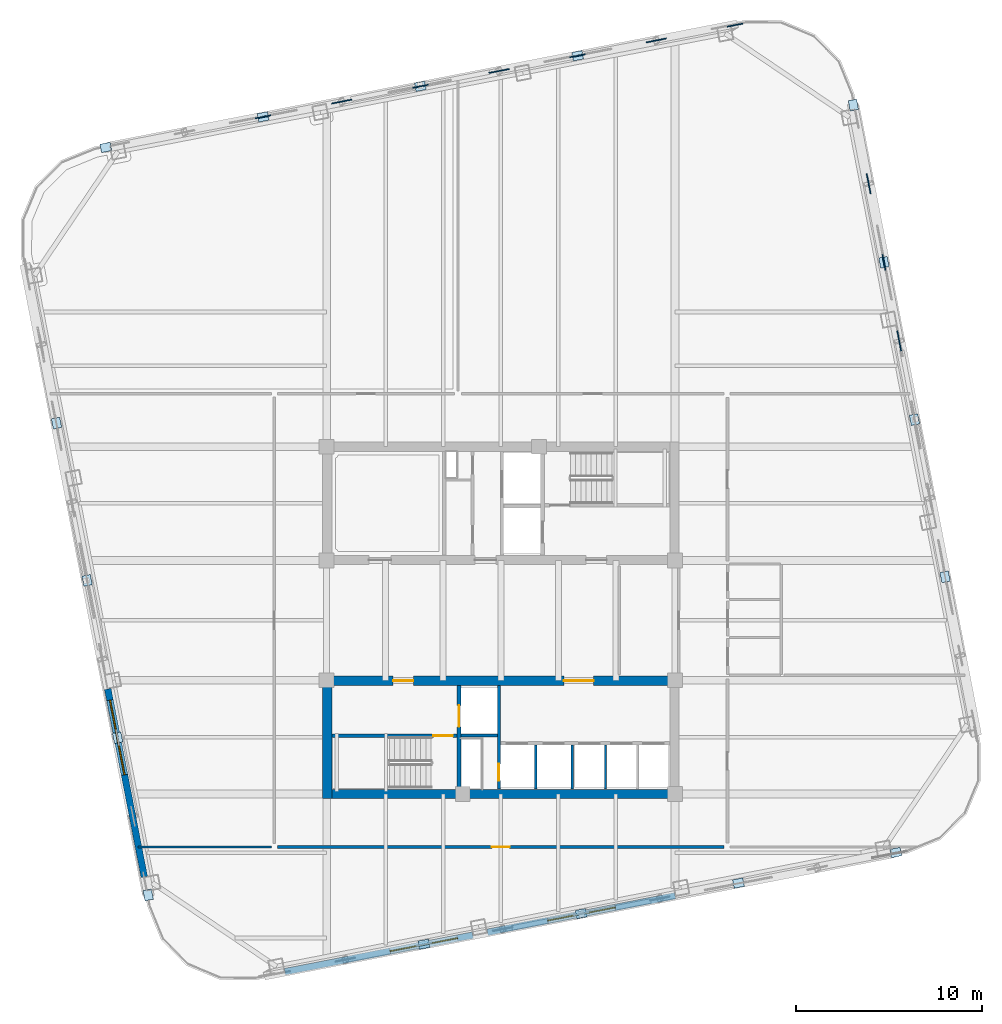
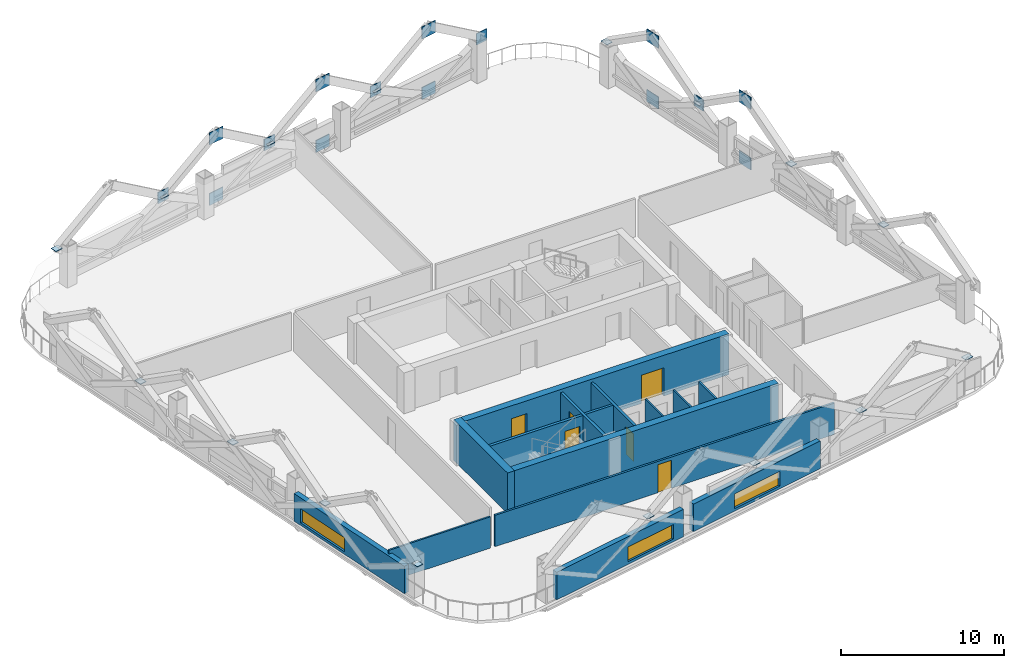
# One storey, part 4 of 10: 31 plates, 15 walls, 6 doors, 3 windows, 9 openings.
"""IFC4 building model written with IfcOpenShell, lengths in metres."""

from ifc_helpers import new_model, si_unit, direction, frame, frame_2d, origin, origin_2d, place, context, subcontext, project, spatial, rectangle, extrude, material, layer, layer_set, type_object, element, fill, save


model = new_model("IFC4")

# Units and contexts
model_context = context("Model", 3, precision=1e-05, world=origin(), true_north=direction((0.0, 1.0)))
body_context = subcontext(model_context, "Body", "Model", "MODEL_VIEW")
ifc_project = project(units=[si_unit("LENGTHUNIT", "METRE"), si_unit("AREAUNIT", "SQUARE_METRE"), si_unit("VOLUMEUNIT", "CUBIC_METRE"), si_unit("PLANEANGLEUNIT", "RADIAN"), si_unit("MASSUNIT", "GRAM", prefix="KILO")], contexts=[model_context])

# Site, building, storey
site_placement = place(None, origin())
site = spatial("IfcSite", under=ifc_project, at=site_placement, CompositionType="ELEMENT")
building_placement = place(site_placement, origin())
building = spatial("IfcBuilding", under=site, at=building_placement, Name="Qhalaya Broadcast Tower", CompositionType="ELEMENT")
storey_placement = place(building_placement, frame((0.0, 0.0, 118.89990234375)))
storey = spatial("IfcBuildingStorey", under=building, at=storey_placement, Name="L34", CompositionType="ELEMENT", Elevation=118.89990234375)

# Plates
ifc_material_1 = material(Name="Structural Steel ASTM A572 Grade 50", Category="steel")
ifc_layer_1 = layer(ifc_material_1, 0.054931640625, Name="Structural Steel ASTM A572 Grade 50")
ifc_layer_set_1 = layer_set([ifc_layer_1], Name="Structural Steel ASTM A572 Grade 50")
plate_type_1 = type_object("IfcPlateType", Name="Exoskeleton Diamond Node Gusset Plate NP-01", PredefinedType="USERDEFINED", material=ifc_layer_set_1)
for number, where, z_axis, x_axis, name in (
    (1, (21.4501953125, 15.642578125, 0.210205078125), (0.0, 0.0, 1.0), (-0.190808995377, 0.981627183448, 0.0), "Exoskeleton Diamond Node B3-E3-BOT"),
    (2, (21.4501953125, 15.642578125, 4.750244140625), (0.0, 0.0, 1.0), (-0.190808995377, 0.981627183448, 0.0), "Exoskeleton Diamond Node B3-E3-TOP"),
    (3, (19.804443359375, 24.109375, 0.210205078125), (0.0, 0.0, 1.0), (-0.190808995377, 0.981627183448, 0.0), "Exoskeleton Diamond Node B3-E4-BOT"),
    (4, (19.804443359375, 24.109375, 4.750244140625), (0.0, 0.0, 1.0), (-0.190808995377, 0.981627183448, 0.0), "Exoskeleton Diamond Node B3-E4-TOP"),
):
    element("IfcPlate", number, at=place(storey_placement, frame(where, z_axis=z_axis, x_axis=x_axis)), inside=storey, type_object=plate_type_1, Name=name, ObjectType="GUSSET_PLATE", PredefinedType="USERDEFINED", context=body_context, shape_type="SweptSolid", body=[
        extrude(rectangle(XDim=1.10009765625, YDim=0.054931640625, at=origin_2d()), origin(), (0.0, 0.0, 1.0), 0.89990234375),
    ])
plate_1_placement = place(storey_placement, frame((20.62744140625, 19.8759765625, 2.26513671875), z_axis=(0.0, 0.0, 1.0), x_axis=(-0.190808995377, 0.981627183448, 0.0)))
element("IfcPlate", 5, at=plate_1_placement, inside=storey, type_object=plate_type_1, Name="Exoskeleton Diamond Node B3-E4-MDL", ObjectType="GUSSET_PLATE", PredefinedType="USERDEFINED", context=body_context, shape_type="SweptSolid", body=[
    extrude(rectangle(XDim=0.85009765625, YDim=0.054931640625, at=origin_2d()), origin(), (0.0, 0.0, 1.0), 0.85009765625),
])
for number, where, z_axis, x_axis, name in (
    (6, (8.370361328125, 31.82177734375, 0.210205078125), (0.0, 0.0, 1.0), (0.981627183448, 0.190808995377, 0.0), "Exoskeleton Diamond Node B3-N1-BOT"),
    (7, (8.370361328125, 31.82177734375, 4.750244140625), (0.0, 0.0, 1.0), (0.981627183448, 0.190808995377, 0.0), "Exoskeleton Diamond Node B3-N1-TOP"),
):
    element("IfcPlate", number, at=place(storey_placement, frame(where, z_axis=z_axis, x_axis=x_axis)), inside=storey, type_object=plate_type_1, Name=name, ObjectType="GUSSET_PLATE", PredefinedType="USERDEFINED", context=body_context, shape_type="SweptSolid", body=[
        extrude(rectangle(XDim=1.10009765625, YDim=0.054931640625, at=origin_2d()), origin(), (0.0, 0.0, 1.0), 0.89990234375),
    ])
plate_2_placement = place(storey_placement, frame((12.603515625, 32.64453125, 2.26513671875), z_axis=(0.0, 0.0, 1.0), x_axis=(0.981627183448, 0.190808995377, 0.0)))
element("IfcPlate", 8, at=plate_2_placement, inside=storey, type_object=plate_type_1, Name="Exoskeleton Diamond Node B3-N1-MDL", ObjectType="GUSSET_PLATE", PredefinedType="USERDEFINED", context=body_context, shape_type="SweptSolid", body=[
    extrude(rectangle(XDim=0.85009765625, YDim=0.054931640625, at=origin_2d()), origin(), (0.0, 0.0, 1.0), 0.85009765625),
])
for number, where, z_axis, x_axis, name in (
    (9, (-0.09619140625, 30.176025390625, 0.210205078125), (0.0, 0.0, 1.0), (0.981627183448, 0.190808995377, 0.0), "Exoskeleton Diamond Node B3-N2-BOT"),
    (10, (-0.09619140625, 30.176025390625, 4.750244140625), (0.0, 0.0, 1.0), (0.981627183448, 0.190808995377, 0.0), "Exoskeleton Diamond Node B3-N2-TOP"),
):
    element("IfcPlate", number, at=place(storey_placement, frame(where, z_axis=z_axis, x_axis=x_axis)), inside=storey, type_object=plate_type_1, Name=name, ObjectType="GUSSET_PLATE", PredefinedType="USERDEFINED", context=body_context, shape_type="SweptSolid", body=[
        extrude(rectangle(XDim=1.10009765625, YDim=0.054931640625, at=origin_2d()), origin(), (0.0, 0.0, 1.0), 0.89990234375),
    ])
plate_3_placement = place(storey_placement, frame((4.13720703125, 30.998779296875, 2.26513671875), z_axis=(0.0, 0.0, 1.0), x_axis=(0.981627183448, 0.190808995377, 0.0)))
element("IfcPlate", 11, at=plate_3_placement, inside=storey, type_object=plate_type_1, Name="Exoskeleton Diamond Node B3-N2-MDL", ObjectType="GUSSET_PLATE", PredefinedType="USERDEFINED", context=body_context, shape_type="SweptSolid", body=[
    extrude(rectangle(XDim=0.85009765625, YDim=0.054931640625, at=origin_2d()), origin(), (0.0, 0.0, 1.0), 0.85009765625),
])
for number, where, z_axis, x_axis, name in (
    (12, (-8.562744140625, 28.5302734375, 0.210205078125), (0.0, 0.0, 1.0), (0.981627183448, 0.190808995377, 0.0), "Exoskeleton Diamond Node B3-N3-BOT"),
    (13, (-8.562744140625, 28.5302734375, 4.750244140625), (0.0, 0.0, 1.0), (0.981627183448, 0.190808995377, 0.0), "Exoskeleton Diamond Node B3-N3-TOP"),
):
    element("IfcPlate", number, at=place(storey_placement, frame(where, z_axis=z_axis, x_axis=x_axis)), inside=storey, type_object=plate_type_1, Name=name, ObjectType="GUSSET_PLATE", PredefinedType="USERDEFINED", context=body_context, shape_type="SweptSolid", body=[
        extrude(rectangle(XDim=1.10009765625, YDim=0.054931640625, at=origin_2d()), origin(), (0.0, 0.0, 1.0), 0.89990234375),
    ])
for number, where, z_axis, x_axis, name in (
    (14, (-4.32958984375, 29.35302734375, 2.26513671875), (0.0, 0.0, 1.0), (0.981627183448, 0.190808995377, 0.0), "Exoskeleton Diamond Node B3-N3-MDL"),
    (15, (-12.7958984375, 27.70751953125, 2.26513671875), (0.0, 0.0, 1.0), (0.981627183448, 0.190808995377, 0.0), "Exoskeleton Diamond Node B3-N4-MDL"),
):
    element("IfcPlate", number, at=place(storey_placement, frame(where, z_axis=z_axis, x_axis=x_axis)), inside=storey, type_object=plate_type_1, Name=name, ObjectType="GUSSET_PLATE", PredefinedType="USERDEFINED", context=body_context, shape_type="SweptSolid", body=[
        extrude(rectangle(XDim=0.85009765625, YDim=0.054931640625, at=origin_2d()), origin(), (0.0, 0.0, 1.0), 0.85009765625),
    ])
ifc_layer_2 = layer(ifc_material_1, 0.4599609375, Name="Structural Steel ASTM A572 Grade 50")
ifc_layer_set_2 = layer_set([ifc_layer_2], Name="Structural Steel ASTM A572 Grade 50")
plate_type_2 = type_object("IfcPlateType", Name="Hollow Box Member End Cap Plate CP-01", PredefinedType="USERDEFINED", material=ifc_layer_set_2)
for number, where, z_axis, x_axis, name in (
    (16, (-4.13720703125, -16.8388671875, 2.67431640625), (0.0, 0.0, 1.0), (0.981627183448, 0.190808995377, 0.0), "Exoskeleton Hollow End Cap B3-S1"),
    (17, (4.32958984375, -15.193115234375, 2.67431640625), (0.0, 0.0, 1.0), (0.981627183448, 0.190808995377, 0.0), "Exoskeleton Hollow End Cap B3-S2"),
    (18, (12.7958984375, -13.54736328125, 2.67431640625), (0.0, 0.0, 1.0), (0.981627183448, 0.190808995377, 0.0), "Exoskeleton Hollow End Cap B3-S3"),
    (19, (21.262451171875, -11.901611328125, 2.67431640625), (0.0, 0.0, 1.0), (0.981627183448, 0.190808995377, 0.0), "Exoskeleton Hollow End Cap B3-S4"),
    (20, (23.918701171875, 2.94287109375, 2.67431640625), (0.0, 0.0, 1.0), (-0.190808995377, 0.981627183448, 0.0), "Exoskeleton Hollow End Cap B3-E1"),
    (21, (22.273193359375, 11.409423828125, 2.67431640625), (0.0, 0.0, 1.0), (-0.190808995377, 0.981627183448, 0.0), "Exoskeleton Hollow End Cap B3-E2"),
    (22, (20.62744140625, 19.8759765625, 2.67431640625), (0.0, 0.0, 1.0), (-0.190808995377, 0.981627183448, 0.0), "Exoskeleton Hollow End Cap B3-E3"),
    (23, (18.981689453125, 28.342529296875, 2.67431640625), (0.0, 0.0, 1.0), (-0.190808995377, 0.981627183448, 0.0), "Exoskeleton Hollow End Cap B3-E4"),
    (24, (4.13720703125, 30.998779296875, 2.67431640625), (0.0, 0.0, 1.0), (0.981627183448, 0.190808995377, 0.0), "Exoskeleton Hollow End Cap B3-N1"),
    (25, (-4.32958984375, 29.35302734375, 2.67431640625), (0.0, 0.0, 1.0), (0.981627183448, 0.190808995377, 0.0), "Exoskeleton Hollow End Cap B3-N2"),
    (26, (-12.7958984375, 27.70751953125, 2.67431640625), (0.0, 0.0, 1.0), (0.981627183448, 0.190808995377, 0.0), "Exoskeleton Hollow End Cap B3-N3"),
    (27, (-21.262451171875, 26.061767578125, 2.67431640625), (0.0, 0.0, 1.0), (0.981627183448, 0.190808995377, 0.0), "Exoskeleton Hollow End Cap B3-N4"),
    (28, (-23.918701171875, 11.217041015625, 2.67431640625), (0.0, 0.0, 1.0), (-0.190808995377, 0.981627183448, 0.0), "Exoskeleton Hollow End Cap B3-W1"),
    (29, (-22.273193359375, 2.75048828125, 2.67431640625), (0.0, 0.0, 1.0), (-0.190808995377, 0.981627183448, 0.0), "Exoskeleton Hollow End Cap B3-W2"),
    (30, (-20.62744140625, -5.716064453125, 2.67431640625), (0.0, 0.0, 1.0), (-0.190808995377, 0.981627183448, 0.0), "Exoskeleton Hollow End Cap B3-W3"),
    (31, (-18.981689453125, -14.1826171875, 2.67431640625), (0.0, 0.0, 1.0), (-0.190808995377, 0.981627183448, 0.0), "Exoskeleton Hollow End Cap B3-W4"),
):
    element("IfcPlate", number, at=place(storey_placement, frame(where, z_axis=z_axis, x_axis=x_axis)), inside=storey, type_object=plate_type_2, Name=name, ObjectType="COVER_PLATE", PredefinedType="USERDEFINED", context=body_context, shape_type="SweptSolid", body=[
        extrude(rectangle(XDim=0.56005859375, YDim=0.4599609375, at=origin_2d()), origin(), (0.0, 0.0, 1.0), 0.031982421875),
    ])

# Wall, opening, door
ifc_material_2 = material(Name="Gypsum Acoustic Partition")
ifc_layer_3 = layer(ifc_material_2, 0.14990234375, Name="Gypsum Acoustic Partition")
ifc_layer_set_3 = layer_set([ifc_layer_3], Name="Gypsum Acoustic Partition")
wall_type_1 = type_object("IfcWallType", Name="Corridor & Tenancy Acoustic Partition 150", PredefinedType="PARTITIONING", material=ifc_layer_set_3)
wall_1_placement = place(storey_placement, frame((-12.02001953125, -11.60009765625, 0.0), z_axis=(0.0, 0.0, 1.0), x_axis=(1.0, 0.0, 0.0)))
wall_1 = element("IfcWall", 32, at=wall_1_placement, inside=storey, type_object=wall_type_1, Name="L34 Partition Wall W-COR-03", PredefinedType="PARTITIONING", context=body_context, shape_type="SweptSolid", body=[
    extrude(rectangle(XDim=24.0400390625, YDim=0.14990234375, at=frame_2d((12.02001953125, 0.0))), origin(), (0.0, 0.0, 1.0), 2.34716796875),
])
opening_1_placement = place(wall_1_placement, frame((11.544921875, 0.0, 0.0)))
opening_1 = element("IfcOpeningElement", 33, at=opening_1_placement, cuts=wall_1, Name="Opening D10", PredefinedType="OPENING", context=body_context, shape_type="SweptSolid", body=[
    extrude(rectangle(XDim=0.949951171875, YDim=2.10009765625, at=frame_2d((0.47509765625, 1.050048828125))), frame((0.0, 0.0869140625, 0.0), z_axis=(0.0, -1.0, 0.0), x_axis=(1.0, 0.0, 0.0)), (0.0, 0.0, 1.0), 0.173828125),
])
ifc_material_3 = material(Name="Timber Veneer Acoustic Door", Category="wood")
door_type_1 = type_object("IfcDoorType", Name="Cellular Office & Edit Booth Door D10", OperationType="NOTDEFINED", PredefinedType="DOOR", material=ifc_material_3)
door_1_placement = place(opening_1_placement, origin())
door_1 = element("IfcDoor", 34, at=door_1_placement, inside=storey, type_object=door_type_1, Name="L34 Door D-RM03", OperationType="SINGLE_SWING_RIGHT", OverallHeight=2.10009765625, OverallWidth=0.949951171875, PredefinedType="DOOR", context=body_context, shape_type="SweptSolid", body=[
    extrude(rectangle(XDim=0.949951171875, YDim=2.10009765625, at=frame_2d((0.47509765625, 1.050048828125))), frame((0.0, 0.02490234375, 0.0), z_axis=(0.0, -1.0, 0.0), x_axis=(1.0, 0.0, 0.0)), (0.0, 0.0, 1.0), 0.050048828125),
])
fill(opening_1, door_1)

# Wall, opening, window
ifc_material_4 = material(Name="Precast Concrete C40/50", Category="concrete")
ifc_layer_4 = layer(ifc_material_4, 0.360107421875, Name="Precast Concrete C40/50")
ifc_layer_set_4 = layer_set([ifc_layer_4], Name="Precast Concrete C40/50")
wall_type_2 = type_object("IfcWallType", Name="Insulated Precast Terracotta Exterior Wall 360", PredefinedType="SOLIDWALL", material=ifc_layer_set_4)
wall_2_placement = place(storey_placement, frame((9.388671875, -14.22998046875, 0.0), z_axis=(0.0, 0.0, 1.0), x_axis=(-0.981627477005, -0.190807485147, 0.0)))
wall_2 = element("IfcWall", 35, at=wall_2_placement, inside=storey, type_object=wall_type_2, Name="L34 Exoskeleton Diagrid Infill Wall S2", PredefinedType="SOLIDWALL", context=body_context, shape_type="SweptSolid", body=[
    extrude(rectangle(XDim=10.300048828125, YDim=0.360107421875, at=frame_2d((5.14990234375, 0.0))), origin(), (0.0, 0.0, 1.0), 2.067138671875),
])
opening_2_placement = place(wall_2_placement, frame((3.2880859375, 0.0, 0.199951171875)))
opening_2 = element("IfcOpeningElement", 36, at=opening_2_placement, cuts=wall_2, Name="Opening W11", PredefinedType="OPENING", context=body_context, shape_type="SweptSolid", body=[
    extrude(rectangle(XDim=3.699951171875, YDim=1.10009765625, at=frame_2d((1.85009765625, 0.550048828125))), frame((0.0, 0.192138671875, 0.0), z_axis=(0.0, -1.0, 0.0), x_axis=(1.0, 0.0, 0.0)), (0.0, 0.0, 1.0), 0.384033203125),
])
ifc_material_5 = material(Name="Solar-Control Low-E Triple Glazing", Category="glass")
window_type = type_object("IfcWindowType", Name="Odd-Block Diagrid Infill Window W11", PartitioningType="SINGLE_PANEL", PredefinedType="WINDOW", material=ifc_material_5)
window_1_placement = place(opening_2_placement, origin())
window_1 = element("IfcWindow", 37, at=window_1_placement, inside=storey, type_object=window_type, Name="L34 Diagrid Infill Window W11-S2", OverallHeight=1.10009765625, OverallWidth=3.699951171875, PartitioningType="SINGLE_PANEL", PredefinedType="WINDOW", context=body_context, shape_type="SweptSolid", body=[
    extrude(rectangle(XDim=3.699951171875, YDim=1.10009765625, at=frame_2d((1.85009765625, 0.550048828125))), frame((0.0, 0.030029296875, 0.0), z_axis=(0.0, -1.0, 0.0), x_axis=(1.0, 0.0, 0.0)), (0.0, 0.0, 1.0), 0.06005859375),
])
fill(opening_2, window_1)

wall_3_placement = place(storey_placement, frame((-1.50732421875, -16.34814453125, 0.0), z_axis=(0.0, 0.0, 1.0), x_axis=(-0.981628941133, -0.190799952646, 0.0)))
wall_3 = element("IfcWall", 38, at=wall_3_placement, inside=storey, type_object=wall_type_2, Name="L34 Exoskeleton Diagrid Infill Wall S3", PredefinedType="SOLIDWALL", context=body_context, shape_type="SweptSolid", body=[
    extrude(rectangle(XDim=10.31201171875, YDim=0.360107421875, at=frame_2d((5.156005859375, 0.0))), origin(), (0.0, 0.0, 1.0), 2.067138671875),
])
opening_3_placement = place(wall_3_placement, frame((0.837890625, 0.0, 0.199951171875)))
opening_3 = element("IfcOpeningElement", 39, at=opening_3_placement, cuts=wall_3, Name="Opening W11", PredefinedType="OPENING", context=body_context, shape_type="SweptSolid", body=[
    extrude(rectangle(XDim=3.699951171875, YDim=1.10009765625, at=frame_2d((1.85009765625, 0.550048828125))), frame((0.0, 0.192138671875, 0.0), z_axis=(0.0, -1.0, 0.0), x_axis=(1.0, 0.0, 0.0)), (0.0, 0.0, 1.0), 0.384033203125),
])
window_2_placement = place(opening_3_placement, origin())
window_2 = element("IfcWindow", 40, at=window_2_placement, inside=storey, type_object=window_type, Name="L34 Diagrid Infill Window W11-S3", OverallHeight=1.10009765625, OverallWidth=3.699951171875, PartitioningType="SINGLE_PANEL", PredefinedType="WINDOW", context=body_context, shape_type="SweptSolid", body=[
    extrude(rectangle(XDim=3.699951171875, YDim=1.10009765625, at=frame_2d((1.85009765625, 0.550048828125))), frame((0.0, 0.030029296875, 0.0), z_axis=(0.0, -1.0, 0.0), x_axis=(1.0, 0.0, 0.0)), (0.0, 0.0, 1.0), 0.06005859375),
])
fill(opening_3, window_2)

wall_4_placement = place(storey_placement, frame((-19.189697265625, -13.216552734375, 0.0), z_axis=(0.0, 0.0, 1.0), x_axis=(-0.190822765986, 0.981624506612, 0.0)))
wall_4 = element("IfcWall", 41, at=wall_4_placement, inside=storey, type_object=wall_type_2, Name="L34 Exoskeleton Diagrid Infill Wall W1", PredefinedType="SOLIDWALL", context=body_context, shape_type="SweptSolid", body=[
    extrude(rectangle(XDim=10.31201171875, YDim=0.360107421875, at=frame_2d((5.156005859375, 0.0))), origin(), (0.0, 0.0, 1.0), 2.067138671875),
])
opening_4_placement = place(wall_4_placement, frame((5.60009765625, 0.0, 0.199951171875)))
opening_4 = element("IfcOpeningElement", 42, at=opening_4_placement, cuts=wall_4, Name="Opening W11", PredefinedType="OPENING", context=body_context, shape_type="SweptSolid", body=[
    extrude(rectangle(XDim=4.10009765625, YDim=1.050048828125, at=frame_2d((2.050048828125, 0.52490234375))), frame((0.0, 0.192138671875, 0.0), z_axis=(0.0, -1.0, 0.0), x_axis=(1.0, 0.0, 0.0)), (0.0, 0.0, 1.0), 0.384033203125),
])
window_3_placement = place(opening_4_placement, origin())
window_3 = element("IfcWindow", 43, at=window_3_placement, inside=storey, type_object=window_type, Name="L34 Diagrid Infill Window W11-W1", OverallHeight=1.050048828125, OverallWidth=4.10009765625, PartitioningType="SINGLE_PANEL", PredefinedType="WINDOW", context=body_context, shape_type="SweptSolid", body=[
    extrude(rectangle(XDim=4.10009765625, YDim=1.050048828125, at=frame_2d((2.050048828125, 0.52490234375))), frame((0.0, 0.030029296875, 0.0), z_axis=(0.0, -1.0, 0.0), x_axis=(1.0, 0.0, 0.0)), (0.0, 0.0, 1.0), 0.06005859375),
])
fill(opening_4, window_3)

# Wall, opening, door
ifc_material_6 = material(Name="Concrete C50/60", Category="concrete")
ifc_layer_5 = layer(ifc_material_6, 0.199951171875, Name="Concrete C50/60")
ifc_layer_set_5 = layer_set([ifc_layer_5], Name="Concrete C50/60")
wall_type_3 = type_object("IfcWallType", Name="Load-Bearing Stair Shaft Wall 200", PredefinedType="SHEAR", material=ifc_layer_set_5)
wall_5_placement = place(storey_placement, frame((-9.080078125, -5.60498046875, 0.0), z_axis=(0.0, 0.0, 1.0), x_axis=(1.0, 0.0, 0.0)))
wall_5 = element("IfcWall", 44, at=wall_5_placement, inside=storey, type_object=wall_type_3, Name="L34 Stair Core Shear Wall SCW-ST2", PredefinedType="SHEAR", context=body_context, shape_type="SweptSolid", body=[
    extrude(rectangle(XDim=6.719970703125, YDim=0.199951171875, at=frame_2d((3.35986328125, 0.0))), origin(), (0.0, 0.0, 1.0), 2.830078125),
])
opening_5_placement = place(wall_5_placement, frame((5.449951171875, 0.0, 0.0)))
opening_5 = element("IfcOpeningElement", 45, at=opening_5_placement, cuts=wall_5, Name="Opening D03", PredefinedType="OPENING", context=body_context, shape_type="SweptSolid", body=[
    extrude(rectangle(XDim=1.050048828125, YDim=2.080078125, at=frame_2d((0.52490234375, 1.0400390625))), frame((0.0, 0.112060546875, 0.0), z_axis=(0.0, -1.0, 0.0), x_axis=(1.0, 0.0, 0.0)), (0.0, 0.0, 1.0), 0.223876953125),
])
ifc_material_7 = material(Name="Fire-Rated Steel Door", Category="steel")
door_type_2 = type_object("IfcDoorType", Name="Core Stair Protected Fire Door D03", OperationType="NOTDEFINED", PredefinedType="DOOR", material=ifc_material_7)
door_2_placement = place(opening_5_placement, origin())
door_2 = element("IfcDoor", 46, at=door_2_placement, inside=storey, type_object=door_type_2, Name="L34 Door D-SST2", OperationType="SINGLE_SWING_RIGHT", OverallHeight=2.080078125, OverallWidth=1.050048828125, PredefinedType="DOOR", context=body_context, shape_type="SweptSolid", body=[
    extrude(rectangle(XDim=1.050048828125, YDim=2.080078125, at=frame_2d((0.52490234375, 1.0400390625))), frame((0.0, 0.02490234375, 0.0), z_axis=(0.0, -1.0, 0.0), x_axis=(1.0, 0.0, 0.0)), (0.0, 0.0, 1.0), 0.050048828125),
])
fill(opening_5, door_2)

wall_6_placement = place(storey_placement, frame((-2.25, -8.47998046875, 0.0), z_axis=(0.0, 0.0, 1.0), x_axis=(0.0, 1.0, 0.0)))
wall_6 = element("IfcWall", 47, at=wall_6_placement, inside=storey, type_object=wall_type_3, Name="L34 Stair Core Shear Wall SCW-FF", PredefinedType="SHEAR", context=body_context, shape_type="SweptSolid", body=[
    extrude(rectangle(XDim=5.56005859375, YDim=0.199951171875, at=frame_2d((2.780029296875, 0.0))), origin(), (0.0, 0.0, 1.0), 2.830078125),
])
opening_6_placement = place(wall_6_placement, frame((3.35009765625, 0.0, 0.0)))
opening_6 = element("IfcOpeningElement", 48, at=opening_6_placement, cuts=wall_6, Name="Opening LD2", PredefinedType="OPENING", context=body_context, shape_type="SweptSolid", body=[
    extrude(rectangle(XDim=1.14990234375, YDim=2.080078125, at=frame_2d((0.574951171875, 1.0400390625))), frame((0.0, 0.112060546875, 0.0), z_axis=(0.0, -1.0, 0.0), x_axis=(1.0, 0.0, 0.0)), (0.0, 0.0, 1.0), 0.223876953125),
])
ifc_material_8 = material(Name="Brushed Stainless Steel Lift Door", Category="steel")
door_type_3 = type_object("IfcDoorType", Name="Firefighting Lift Sliding Landing Door LD2", OperationType="DOUBLE_DOOR_SLIDING", PredefinedType="DOOR", material=ifc_material_8)
door_3_placement = place(opening_6_placement, origin())
door_3 = element("IfcDoor", 49, at=door_3_placement, inside=storey, type_object=door_type_3, Name="L34 Door LD-FF2", OperationType="DOUBLE_DOOR_SLIDING", OverallHeight=2.080078125, OverallWidth=1.14990234375, PredefinedType="DOOR", context=body_context, shape_type="SweptSolid", body=[
    extrude(rectangle(XDim=1.14990234375, YDim=2.080078125, at=frame_2d((0.574951171875, 1.0400390625))), frame((0.0, 0.02490234375, 0.0), z_axis=(0.0, -1.0, 0.0), x_axis=(1.0, 0.0, 0.0)), (0.0, 0.0, 1.0), 0.050048828125),
])
fill(opening_6, door_3)

# Wall
ifc_layer_6 = layer(ifc_material_6, 0.5, Name="Concrete C50/60")
ifc_layer_set_6 = layer_set([ifc_layer_6], Name="Concrete C50/60")
wall_type_4 = type_object("IfcWallType", Name="Mid Split-Core Shear Wall 500", PredefinedType="SHEAR", material=ifc_layer_set_6)
wall_7_placement = place(storey_placement, frame((-9.60009765625, -8.75, 0.0), z_axis=(0.0, 0.0, 1.0), x_axis=(1.0, 0.0, 0.0)))
element("IfcWall", 50, at=wall_7_placement, inside=storey, type_object=wall_type_4, Name="L34 Split-Core Shear Wall CW-SS", PredefinedType="SHEAR", context=body_context, shape_type="SweptSolid", body=[
    extrude(rectangle(XDim=19.2001953125, YDim=0.5, at=frame_2d((9.60009765625, 0.0))), origin(), (0.0, 0.0, 1.0), 3.050048828125),
])

# Wall, openings, doors
wall_8_placement = place(storey_placement, frame((-9.60009765625, -2.64990234375, 0.0), z_axis=(0.0, 0.0, 1.0), x_axis=(1.0, 0.0, 0.0)))
wall_8 = element("IfcWall", 51, at=wall_8_placement, inside=storey, type_object=wall_type_4, Name="L34 Split-Core Shear Wall CW-SN", PredefinedType="SHEAR", context=body_context, shape_type="SweptSolid", body=[
    extrude(rectangle(XDim=19.2001953125, YDim=0.5, at=frame_2d((9.60009765625, 0.0))), origin(), (0.0, 0.0, 1.0), 3.050048828125),
])
opening_7_placement = place(wall_8_placement, frame((3.800048828125, 0.0, 0.0)))
opening_7 = element("IfcOpeningElement", 52, at=opening_7_placement, cuts=wall_8, Name="Opening D04", PredefinedType="OPENING", context=body_context, shape_type="SweptSolid", body=[
    extrude(rectangle(XDim=1.10009765625, YDim=2.080078125, at=frame_2d((0.550048828125, 1.0400390625))), frame((0.0, 0.261962890625, 0.0), z_axis=(0.0, -1.0, 0.0), x_axis=(1.0, 0.0, 0.0)), (0.0, 0.0, 1.0), 0.52392578125),
])
opening_8_placement = place(wall_8_placement, frame((13.0, 0.0, 0.0)))
opening_8 = element("IfcOpeningElement", 53, at=opening_8_placement, cuts=wall_8, Name="Opening D07", PredefinedType="OPENING", context=body_context, shape_type="SweptSolid", body=[
    extrude(rectangle(XDim=1.60009765625, YDim=2.1201171875, at=frame_2d((0.800048828125, 1.06005859375))), frame((0.0, 0.261962890625, 0.0), z_axis=(0.0, -1.0, 0.0), x_axis=(1.0, 0.0, 0.0)), (0.0, 0.0, 1.0), 0.52392578125),
])
door_type_4 = type_object("IfcDoorType", Name="Firefighting Lobby Rated Door D04", OperationType="NOTDEFINED", PredefinedType="DOOR", material=ifc_material_7)
door_4_placement = place(opening_7_placement, origin())
door_4 = element("IfcDoor", 54, at=door_4_placement, inside=storey, type_object=door_type_4, Name="L34 Door D-SFF", OperationType="SINGLE_SWING_LEFT", OverallHeight=2.080078125, OverallWidth=1.10009765625, PredefinedType="DOOR", context=body_context, shape_type="SweptSolid", body=[
    extrude(rectangle(XDim=1.10009765625, YDim=2.080078125, at=frame_2d((0.550048828125, 1.0400390625))), frame((0.0, 0.02490234375, 0.0), z_axis=(0.0, -1.0, 0.0), x_axis=(1.0, 0.0, 0.0)), (0.0, 0.0, 1.0), 0.050048828125),
])
fill(opening_7, door_4)
ifc_material_9 = material(Name="Anodised Aluminium Glazed Door", Category="aluminium")
door_type_5 = type_object("IfcDoorType", Name="Passenger Lift Lobby Double Glazed Door D07", OperationType="DOUBLE_DOOR_SINGLE_SWING", PredefinedType="DOOR", material=ifc_material_9)
door_5_placement = place(opening_8_placement, origin())
door_5 = element("IfcDoor", 55, at=door_5_placement, inside=storey, type_object=door_type_5, Name="L34 Door D-SPLL", OperationType="DOUBLE_DOOR_SINGLE_SWING", OverallHeight=2.1201171875, OverallWidth=1.60009765625, PredefinedType="DOOR", context=body_context, shape_type="SweptSolid", body=[
    extrude(rectangle(XDim=1.60009765625, YDim=2.1201171875, at=frame_2d((0.800048828125, 1.06005859375))), frame((0.0, 0.02490234375, 0.0), z_axis=(0.0, -1.0, 0.0), x_axis=(1.0, 0.0, 0.0)), (0.0, 0.0, 1.0), 0.050048828125),
])
fill(opening_8, door_5)

# Walls
wall_9_placement = place(storey_placement, frame((-9.35009765625, -9.0, 0.0), z_axis=(0.0, 0.0, 1.0), x_axis=(0.0, 1.0, 0.0)))
element("IfcWall", 56, at=wall_9_placement, inside=storey, type_object=wall_type_4, Name="L34 Split-Core Shear Wall CW-SW", PredefinedType="SHEAR", context=body_context, shape_type="SweptSolid", body=[
    extrude(rectangle(XDim=6.60009765625, YDim=0.5, at=frame_2d((3.300048828125, 0.0))), origin(), (0.0, 0.0, 1.0), 3.050048828125),
])
ifc_layer_7 = layer(ifc_material_2, 0.1201171875, Name="Gypsum Acoustic Partition")
ifc_layer_set_7 = layer_set([ifc_layer_7], Name="Gypsum Acoustic Partition")
wall_type_5 = type_object("IfcWallType", Name="Office, Booth & Sanitary Partition 120", PredefinedType="PARTITIONING", material=ifc_layer_set_7)
for number, where, z_axis, x_axis, name in (
    (57, (1.8798828125, -8.47998046875, 0.0), (0.0, 0.0, 1.0), (0.0, 1.0, 0.0), "L34 Partition Wall SCW-MD4"),
    (58, (3.85009765625, -8.47998046875, 0.0), (0.0, 0.0, 1.0), (0.0, 1.0, 0.0), "L34 Partition Wall SCW-MD5"),
    (59, (5.639892578125, -8.47998046875, 0.0), (0.0, 0.0, 1.0), (0.0, 1.0, 0.0), "L34 Partition Wall SCW-HD6"),
):
    element("IfcWall", number, at=place(storey_placement, frame(where, z_axis=z_axis, x_axis=x_axis)), inside=storey, type_object=wall_type_5, Name=name, PredefinedType="PARTITIONING", context=body_context, shape_type="SweptSolid", body=[
        extrude(rectangle(XDim=2.3798828125, YDim=0.1201171875, at=frame_2d((1.18994140625, 0.0))), origin(), (0.0, 0.0, 1.0), 2.830078125),
    ])
wall_10_placement = place(storey_placement, frame((-19.5244140625, -11.60009765625, 0.0), z_axis=(0.0, 0.0, 1.0), x_axis=(1.0, 0.0, 0.0)))
element("IfcWall", 60, at=wall_10_placement, inside=storey, type_object=wall_type_5, Name="L34 Partition Wall W-BNDW2", PredefinedType="PARTITIONING", context=body_context, shape_type="SweptSolid", body=[
    extrude(rectangle(XDim=7.184326171875, YDim=0.1201171875, at=frame_2d((3.59228515625, 0.0))), origin(), (0.0, 0.0, 1.0), 2.34716796875),
])

# Wall, opening, door
ifc_layer_8 = layer(ifc_material_2, 0.175048828125, Name="Gypsum Acoustic Partition")
ifc_layer_set_8 = layer_set([ifc_layer_8], Name="Gypsum Acoustic Partition")
wall_type_6 = type_object("IfcWallType", Name="Shaft & Riser Fire Partition 175", PredefinedType="PARTITIONING", material=ifc_layer_set_8)
wall_11_placement = place(storey_placement, frame((-0.10009765625, -8.47998046875, 0.0), z_axis=(0.0, 0.0, 1.0), x_axis=(0.0, 1.0, 0.0)))
wall_11 = element("IfcWall", 61, at=wall_11_placement, inside=storey, type_object=wall_type_6, Name="L34 Partition Wall SCW-FFE", PredefinedType="PARTITIONING", context=body_context, shape_type="SweptSolid", body=[
    extrude(rectangle(XDim=5.56005859375, YDim=0.175048828125, at=frame_2d((2.780029296875, 0.0))), origin(), (0.0, 0.0, 1.0), 2.830078125),
])
opening_9_placement = place(wall_11_placement, frame((0.449951171875, 0.0, 0.0)))
opening_9 = element("IfcOpeningElement", 62, at=opening_9_placement, cuts=wall_11, Name="Opening D06", PredefinedType="OPENING", context=body_context, shape_type="SweptSolid", body=[
    extrude(rectangle(XDim=0.89990234375, YDim=2.050048828125, at=frame_2d((0.449951171875, 1.02490234375))), frame((0.0, 0.099609375, 0.0), z_axis=(0.0, -1.0, 0.0), x_axis=(1.0, 0.0, 0.0)), (0.0, 0.0, 1.0), 0.198974609375),
])
door_type_6 = type_object("IfcDoorType", Name="Riser & Electrical Shaft Access Door D06", OperationType="NOTDEFINED", PredefinedType="DOOR", material=ifc_material_7)
door_6_placement = place(opening_9_placement, origin())
door_6 = element("IfcDoor", 63, at=door_6_placement, inside=storey, type_object=door_type_6, Name="L34 Riser Shaft Access Door D-SRSR", OperationType="SINGLE_SWING_LEFT", OverallHeight=2.050048828125, OverallWidth=0.89990234375, PredefinedType="DOOR", context=body_context, shape_type="SweptSolid", body=[
    extrude(rectangle(XDim=0.89990234375, YDim=2.050048828125, at=frame_2d((0.449951171875, 1.02490234375))), frame((0.0, 0.02490234375, 0.0), z_axis=(0.0, -1.0, 0.0), x_axis=(1.0, 0.0, 0.0)), (0.0, 0.0, 1.0), 0.050048828125),
])
fill(opening_9, door_6)

# Wall
wall_12_placement = place(storey_placement, frame((-2.14990234375, -5.60009765625, 0.0), z_axis=(0.0, 0.0, 1.0), x_axis=(1.0, 0.0, 0.0)))
element("IfcWall", 64, at=wall_12_placement, inside=storey, type_object=wall_type_6, Name="L34 Partition Wall SCW-FFM", PredefinedType="PARTITIONING", context=body_context, shape_type="SweptSolid", body=[
    extrude(rectangle(XDim=1.969970703125, YDim=0.175048828125, at=frame_2d((0.98486328125, 0.0))), origin(), (0.0, 0.0, 1.0), 2.830078125),
])

save(model, "model.ifc")
